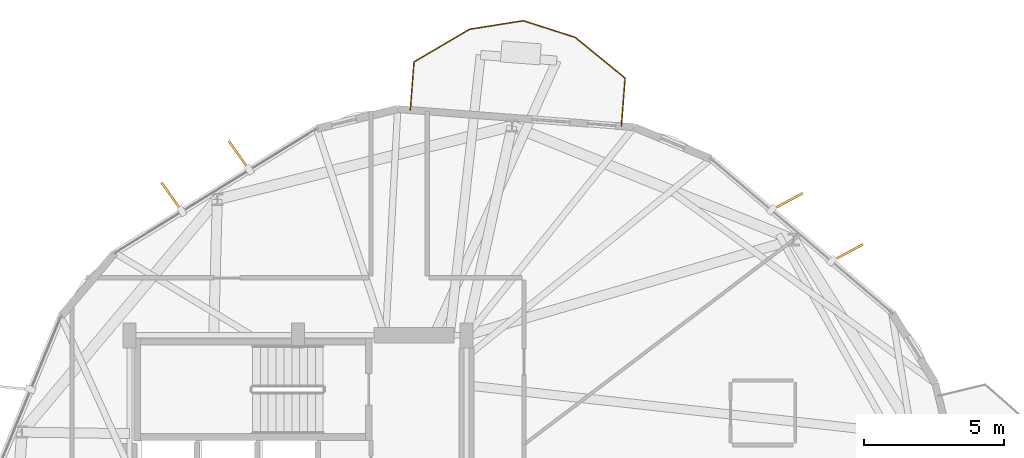
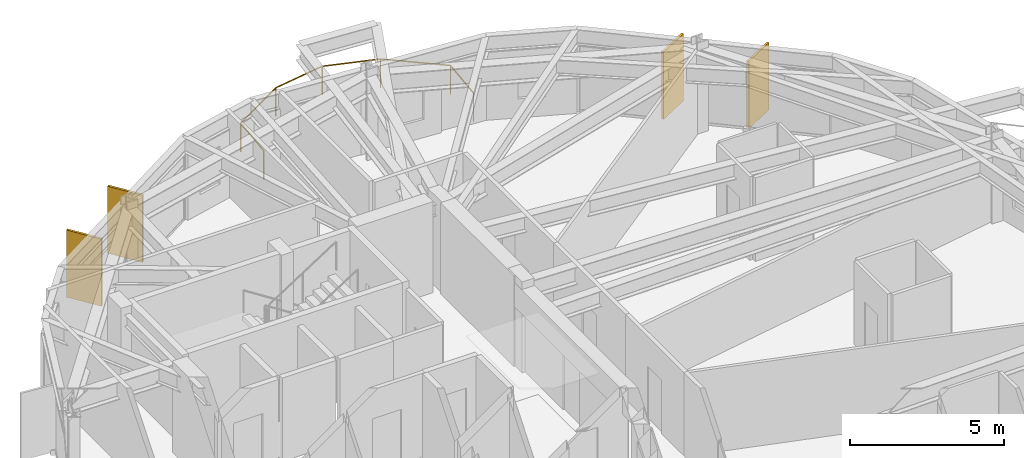
# One storey, part 21 of 21: 4 shading devices, 1 railing.
"""IFC4 building model written with IfcOpenShell, lengths in metres."""

from ifc_helpers import new_model, si_unit, direction, frame, origin, origin_2d, place, context, subcontext, project, spatial, rectangle, circle, extrude, material, layer, layer_set, type_object, element, save


model = new_model("IFC4")

# Units and contexts
model_context = context("Model", 3, precision=1e-05, world=origin(), true_north=direction((0.0, 1.0)))
body_context = subcontext(model_context, "Body", "Model", "MODEL_VIEW")
ifc_project = project(units=[si_unit("LENGTHUNIT", "METRE"), si_unit("AREAUNIT", "SQUARE_METRE"), si_unit("VOLUMEUNIT", "CUBIC_METRE"), si_unit("PLANEANGLEUNIT", "RADIAN"), si_unit("MASSUNIT", "GRAM", prefix="KILO")], contexts=[model_context])

# Site, building, storey
site_placement = place(None, origin())
site = spatial("IfcSite", under=ifc_project, at=site_placement, CompositionType="ELEMENT")
building_placement = place(site_placement, origin())
building = spatial("IfcBuilding", under=site, at=building_placement, Name="Soratama Intermodal Tower", CompositionType="ELEMENT")
storey_placement = place(building_placement, frame((0.0, 0.0, 149.800048828125)))
storey = spatial("IfcBuildingStorey", under=building, at=storey_placement, Name="L36", CompositionType="ELEMENT", Elevation=149.800048828125)

# Railing
ifc_material_1 = material(Name="Laminated glass and stainless steel balustrade", Category="steel")
railing_type = type_object("IfcRailingType", Name="RL-BAL-1150", PredefinedType="BALUSTRADE", material=ifc_material_1)
railing_placement = place(storey_placement, frame((42.599365234375, 43.0244140625, 0.0)))
element("IfcRailing", 1, at=railing_placement, inside=storey, type_object=railing_type, Name="L36 Balcony Balustrade 2", PredefinedType="BALUSTRADE", context=body_context, shape_type="SweptSolid", body=[
    extrude(circle(Radius=0.02392578125, at=origin_2d()), frame((0.0, 0.0, 1.1259765625), z_axis=(0.076360029485, 0.997080310656, 0.0), x_axis=(-0.997080310656, 0.076360029485, 0.0)), (0.0, 0.0, 1.0), 1.72021484375),
    extrude(circle(Radius=0.02392578125, at=origin_2d()), frame((0.13134765625, 1.715087890625, 1.1259765625), z_axis=(0.862212888061, 0.50654608444, 0.0), x_axis=(-0.50654608444, 0.862212888061, 0.0)), (0.0, 0.0, 1.0), 2.296142578125),
    extrude(circle(Radius=0.02392578125, at=origin_2d()), frame((2.111083984375, 2.878173828125, 1.1259765625), z_axis=(0.98764110128, 0.156732431432, 0.0), x_axis=(-0.156732431432, 0.98764110128, 0.0)), (0.0, 0.0, 1.0), 1.937744140625),
    extrude(circle(Radius=0.02392578125, at=origin_2d()), frame((4.02490234375, 3.181884765625, 1.1259765625), z_axis=(0.952224995004, -0.305397378657, 0.0), x_axis=(0.305397378657, 0.952224995004, 0.0)), (0.0, 0.0, 1.0), 1.937744140625),
    extrude(circle(Radius=0.02392578125, at=origin_2d()), frame((5.8701171875, 2.590087890625, 1.1259765625), z_axis=(0.775036313363, -0.631916697808, 0.0), x_axis=(0.631916697808, 0.775036313363, 0.0)), (0.0, 0.0, 1.0), 2.296142578125),
    extrude(circle(Radius=0.02392578125, at=origin_2d()), frame((7.649658203125, 1.13916015625, 1.1259765625), z_axis=(-0.076360029485, -0.997080310656, 0.0), x_axis=(0.997080310656, -0.076360029485, 0.0)), (0.0, 0.0, 1.0), 1.72021484375),
    extrude(circle(Radius=0.02099609375, at=origin_2d()), origin(), (0.0, 0.0, 1.0), 1.101806640625),
    extrude(circle(Radius=0.02099609375, at=origin_2d()), frame((0.13134765625, 1.715087890625, 0.0)), (0.0, 0.0, 1.0), 1.101806640625),
    extrude(circle(Radius=0.02099609375, at=origin_2d()), frame((2.111083984375, 2.878173828125, 0.0)), (0.0, 0.0, 1.0), 1.101806640625),
    extrude(circle(Radius=0.02099609375, at=origin_2d()), frame((4.02490234375, 3.181884765625, 0.0)), (0.0, 0.0, 1.0), 1.101806640625),
    extrude(circle(Radius=0.02099609375, at=origin_2d()), frame((5.8701171875, 2.590087890625, 0.0)), (0.0, 0.0, 1.0), 1.101806640625),
    extrude(circle(Radius=0.02099609375, at=origin_2d()), frame((7.649658203125, 1.13916015625, 0.0)), (0.0, 0.0, 1.0), 1.101806640625),
    extrude(circle(Radius=0.02099609375, at=origin_2d()), frame((7.518310546875, -0.575927734375, 0.0)), (0.0, 0.0, 1.0), 1.101806640625),
])

# Shading devices
ifc_material_2 = material(Name="Champagne anodised aluminium solar fin", Category="aluminium")
ifc_layer = layer(ifc_material_2, 0.080078125)
ifc_layer_set = layer_set([ifc_layer], Name="Champagne anodised aluminium solar fin")
shading_device_type = type_object("IfcShadingDeviceType", Name="SH-FIN-1250", PredefinedType="USERDEFINED", material=ifc_layer_set)
for number, where, z_axis, x_axis, name in (
    (2, (58.1640625, 37.9443359375, 0.02001953125), (0.0, 0.0, 1.0), (0.880973334654, 0.473165915539, 0.0), "L36 Solar Fin F01-1"),
    (3, (56.02099609375, 39.76708984375, 0.02001953125), (0.0, 0.0, 1.0), (0.880973334654, 0.473165915539, 0.0), "L36 Solar Fin F01-2"),
    (4, (36.498291015625, 41.4111328125, 0.02001953125), (0.0, 0.0, 1.0), (-0.57885429304, 0.815430994891, 0.0), "L36 Solar Fin F03-1"),
    (5, (34.1025390625, 39.93603515625, 0.02001953125), (0.0, 0.0, 1.0), (-0.57885429304, 0.815430994891, 0.0), "L36 Solar Fin F03-2"),
):
    element("IfcShadingDevice", number, at=place(storey_placement, frame(where, z_axis=z_axis, x_axis=x_axis)), inside=storey, type_object=shading_device_type, Name=name, ObjectType="FIN", PredefinedType="USERDEFINED", context=body_context, shape_type="SweptSolid", body=[
        extrude(rectangle(XDim=1.25, YDim=0.080078125, at=origin_2d()), origin(), (0.0, 0.0, 1.0), 2.658935546875),
    ])

save(model, "model.ifc")
